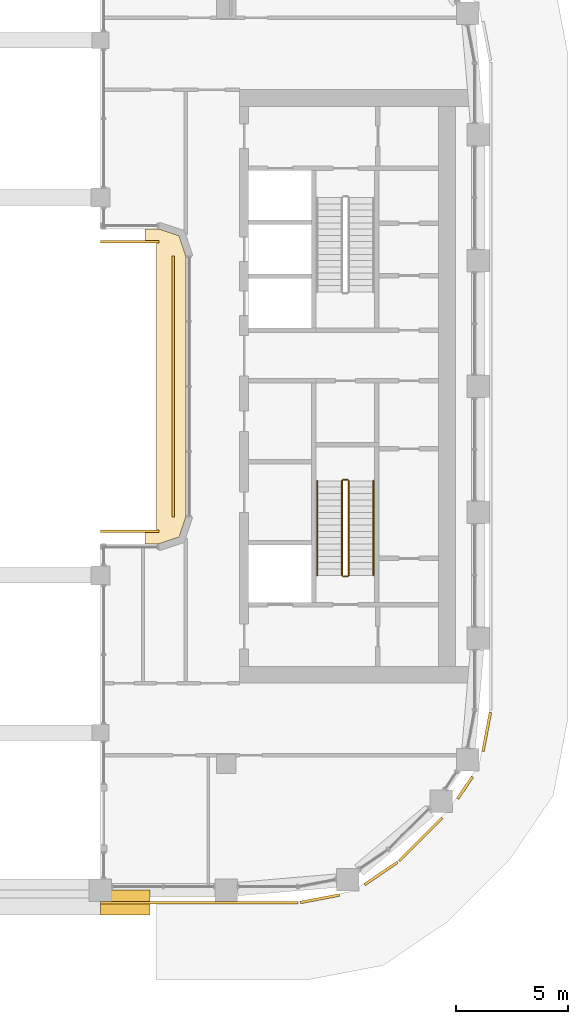
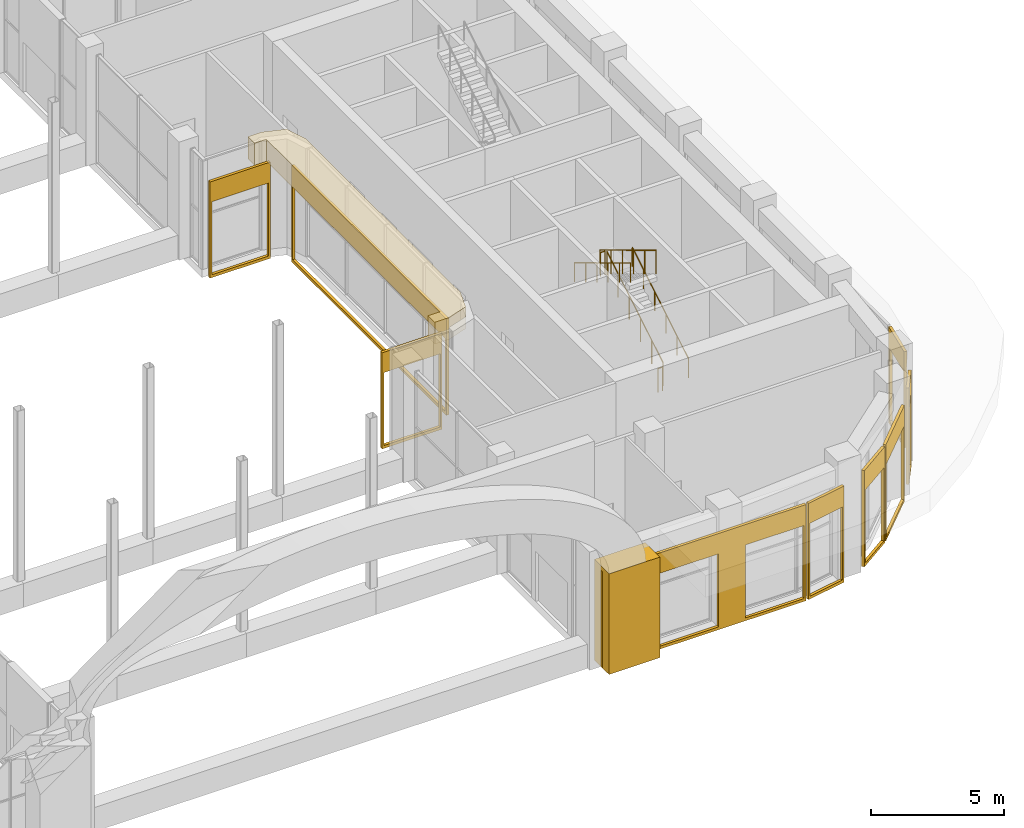
# One storey, part 25 of 28: 11 coverings, 6 railings.
"""IFC4 building model written with IfcOpenShell, lengths in metres."""

from ifc_helpers import new_model, si_unit, direction, frame, origin, origin_2d, place, context, subcontext, project, spatial, polyline, rectangle, circle, outline, extrude, material, layer, layer_set, type_object, element, save


model = new_model("IFC4")

# Units and contexts
model_context = context("Model", 3, precision=1e-05, world=origin(), true_north=direction((0.0, 1.0)))
body_context = subcontext(model_context, "Body", "Model", "MODEL_VIEW")
ifc_project = project(units=[si_unit("LENGTHUNIT", "METRE"), si_unit("AREAUNIT", "SQUARE_METRE"), si_unit("VOLUMEUNIT", "CUBIC_METRE"), si_unit("PLANEANGLEUNIT", "RADIAN"), si_unit("MASSUNIT", "GRAM", prefix="KILO")], contexts=[model_context])

# Site, building, storey
site_placement = place(None, origin())
site = spatial("IfcSite", under=ifc_project, at=site_placement, CompositionType="ELEMENT")
building_placement = place(site_placement, origin())
building = spatial("IfcBuilding", under=site, at=building_placement, Name="Kiln Ring Residences", CompositionType="ELEMENT")
storey_placement = place(building_placement, frame((0.0, 0.0, 178.10009765625)))
storey = spatial("IfcBuildingStorey", under=building, at=storey_placement, Name="L46", CompositionType="ELEMENT", Elevation=178.10009765625)

# Railings
ifc_material_1 = material(Name="Stainless steel", Category="steel")
railing_type_1 = type_object("IfcRailingType", Name="CORE-STAIR-GUARD", PredefinedType="GUARDRAIL", material=ifc_material_1)
railing_1_placement = place(storey_placement, frame((22.25, -8.39990234375, 0.168701171875)))
element("IfcRailing", 1, at=railing_1_placement, inside=storey, type_object=railing_type_1, Name="L46 E-STS stair guard 1", PredefinedType="GUARDRAIL", context=body_context, shape_type="SweptSolid", body=[
    extrude(circle(Radius=0.02392578125, at=origin_2d()), frame((0.0, 0.0, 1.076171875), z_axis=(0.0, 0.856476492594, 0.516186030065), x_axis=(-1.0, 0.0, 0.0)), (0.0, 0.0, 1.0), 4.90380859375),
    extrude(circle(Radius=0.02099609375, at=origin_2d()), origin(), (0.0, 0.0, 1.0), 1.052001953125),
    extrude(circle(Radius=0.02099609375, at=origin_2d()), frame((0.0, 0.840087890625, 0.50634765625)), (0.0, 0.0, 1.0), 1.052001953125),
    extrude(circle(Radius=0.02099609375, at=origin_2d()), frame((0.0, 1.679931640625, 1.012451171875)), (0.0, 0.0, 1.0), 1.052001953125),
    extrude(circle(Radius=0.02099609375, at=origin_2d()), frame((0.0, 2.52001953125, 1.518798828125)), (0.0, 0.0, 1.0), 1.052001953125),
    extrude(circle(Radius=0.02099609375, at=origin_2d()), frame((0.0, 3.35986328125, 2.02490234375)), (0.0, 0.0, 1.0), 1.052001953125),
    extrude(circle(Radius=0.02099609375, at=origin_2d()), frame((0.0, 4.199951171875, 2.53125)), (0.0, 0.0, 1.0), 1.052001953125),
])
railing_2_placement = place(storey_placement, frame((22.199951171875, -4.14990234375, 2.699951171875)))
element("IfcRailing", 2, at=railing_2_placement, inside=storey, type_object=railing_type_1, Name="L46 E-STS stair guard 2", PredefinedType="GUARDRAIL", context=body_context, shape_type="SweptSolid", body=[
    extrude(circle(Radius=0.02392578125, at=origin_2d()), frame((0.0, 0.0, 1.076171875), z_axis=(-1.0, 0.0, 0.0), x_axis=(0.0, -1.0, 0.0)), (0.0, 0.0, 1.0), 0.199951171875),
    extrude(circle(Radius=0.02099609375, at=origin_2d()), origin(), (0.0, 0.0, 1.0), 1.052001953125),
    extrude(circle(Radius=0.02099609375, at=origin_2d()), frame((-0.199951171875, 0.0, 0.0)), (0.0, 0.0, 1.0), 1.052001953125),
])
railing_3_placement = place(storey_placement, frame((21.949951171875, -4.199951171875, 2.86865234375)))
element("IfcRailing", 3, at=railing_3_placement, inside=storey, type_object=railing_type_1, Name="L46 E-STS stair guard 3", PredefinedType="GUARDRAIL", context=body_context, shape_type="SweptSolid", body=[
    extrude(circle(Radius=0.02392578125, at=origin_2d()), frame((0.0, 0.0, 1.076171875), z_axis=(0.0, -0.856476492594, 0.516186030065), x_axis=(1.0, 0.0, 0.0)), (0.0, 0.0, 1.0), 4.90380859375),
    extrude(circle(Radius=0.02099609375, at=origin_2d()), origin(), (0.0, 0.0, 1.0), 1.052001953125),
    extrude(circle(Radius=0.02099609375, at=origin_2d()), frame((0.0, -0.840087890625, 0.50634765625)), (0.0, 0.0, 1.0), 1.052001953125),
    extrude(circle(Radius=0.02099609375, at=origin_2d()), frame((0.0, -1.679931640625, 1.012451171875)), (0.0, 0.0, 1.0), 1.052001953125),
    extrude(circle(Radius=0.02099609375, at=origin_2d()), frame((0.0, -2.52001953125, 1.518798828125)), (0.0, 0.0, 1.0), 1.052001953125),
    extrude(circle(Radius=0.02099609375, at=origin_2d()), frame((0.0, -3.35986328125, 2.02490234375)), (0.0, 0.0, 1.0), 1.052001953125),
    extrude(circle(Radius=0.02099609375, at=origin_2d()), frame((0.0, -4.199951171875, 2.53125)), (0.0, 0.0, 1.0), 1.052001953125),
])
railing_4_placement = place(storey_placement, frame((22.199951171875, -8.449951171875, 0.0)))
element("IfcRailing", 4, at=railing_4_placement, inside=storey, type_object=railing_type_1, Name="L46 E-STS stair guard 4", PredefinedType="GUARDRAIL", context=body_context, shape_type="SweptSolid", body=[
    extrude(circle(Radius=0.02392578125, at=origin_2d()), frame((0.0, 0.0, 1.076171875), z_axis=(-1.0, 0.0, 0.0), x_axis=(0.0, -1.0, 0.0)), (0.0, 0.0, 1.0), 0.199951171875),
    extrude(circle(Radius=0.02099609375, at=origin_2d()), origin(), (0.0, 0.0, 1.0), 1.052001953125),
    extrude(circle(Radius=0.02099609375, at=origin_2d()), frame((-0.199951171875, 0.0, 0.0)), (0.0, 0.0, 1.0), 1.052001953125),
])
ifc_material_2 = material(Name="Stainless steel", Category="steel")
railing_type_2 = type_object("IfcRailingType", Name="CORE-STAIR-HANDRAIL", PredefinedType="HANDRAIL", material=ifc_material_2)
railing_5_placement = place(storey_placement, frame((23.35009765625, -8.39990234375, 0.168701171875)))
element("IfcRailing", 5, at=railing_5_placement, inside=storey, type_object=railing_type_2, Name="L46 E-STS stair handrail 1", PredefinedType="HANDRAIL", context=body_context, shape_type="SweptSolid", body=[
    extrude(circle(Radius=0.02392578125, at=origin_2d()), frame((0.0, 0.0, 0.8759765625), z_axis=(0.0, 0.856476492594, 0.516186030065), x_axis=(-1.0, 0.0, 0.0)), (0.0, 0.0, 1.0), 4.90380859375),
    extrude(circle(Radius=0.02099609375, at=origin_2d()), origin(), (0.0, 0.0, 1.0), 0.851806640625),
    extrude(circle(Radius=0.02099609375, at=origin_2d()), frame((0.0, 0.840087890625, 0.50634765625)), (0.0, 0.0, 1.0), 0.851806640625),
    extrude(circle(Radius=0.02099609375, at=origin_2d()), frame((0.0, 1.679931640625, 1.012451171875)), (0.0, 0.0, 1.0), 0.851806640625),
    extrude(circle(Radius=0.02099609375, at=origin_2d()), frame((0.0, 2.52001953125, 1.518798828125)), (0.0, 0.0, 1.0), 0.851806640625),
    extrude(circle(Radius=0.02099609375, at=origin_2d()), frame((0.0, 3.35986328125, 2.02490234375)), (0.0, 0.0, 1.0), 0.851806640625),
    extrude(circle(Radius=0.02099609375, at=origin_2d()), frame((0.0, 4.199951171875, 2.53125)), (0.0, 0.0, 1.0), 0.851806640625),
])
railing_6_placement = place(storey_placement, frame((20.85009765625, -4.199951171875, 2.86865234375)))
element("IfcRailing", 6, at=railing_6_placement, inside=storey, type_object=railing_type_2, Name="L46 E-STS stair handrail 2", PredefinedType="HANDRAIL", context=body_context, shape_type="SweptSolid", body=[
    extrude(circle(Radius=0.02392578125, at=origin_2d()), frame((0.0, 0.0, 0.8759765625), z_axis=(0.0, -0.856476492594, 0.516186030065), x_axis=(1.0, 0.0, 0.0)), (0.0, 0.0, 1.0), 4.90380859375),
    extrude(circle(Radius=0.02099609375, at=origin_2d()), origin(), (0.0, 0.0, 1.0), 0.851806640625),
    extrude(circle(Radius=0.02099609375, at=origin_2d()), frame((0.0, -0.840087890625, 0.50634765625)), (0.0, 0.0, 1.0), 0.851806640625),
    extrude(circle(Radius=0.02099609375, at=origin_2d()), frame((0.0, -1.679931640625, 1.012451171875)), (0.0, 0.0, 1.0), 0.851806640625),
    extrude(circle(Radius=0.02099609375, at=origin_2d()), frame((0.0, -2.52001953125, 1.518798828125)), (0.0, 0.0, 1.0), 0.851806640625),
    extrude(circle(Radius=0.02099609375, at=origin_2d()), frame((0.0, -3.35986328125, 2.02490234375)), (0.0, 0.0, 1.0), 0.851806640625),
    extrude(circle(Radius=0.02099609375, at=origin_2d()), frame((0.0, -4.199951171875, 2.53125)), (0.0, 0.0, 1.0), 0.851806640625),
])

# Coverings
ifc_material_3 = material(Name="Concrete C35/45, exposed aggregate finish", Category="concrete")
covering_type_1 = type_object("IfcCoveringType", Name="PORTAL JAMB 1400 x 700", PredefinedType="CLADDING", material=ifc_material_3)
covering_1_placement = place(storey_placement, frame((12.300048828125, -22.949951171875, -0.000244140625), z_axis=(0.0, 0.0, 1.0), x_axis=(1.0, 0.0, 0.0)))
element("IfcCovering", 7, at=covering_1_placement, inside=storey, type_object=covering_type_1, Name="PORTAL JAMB L46", PredefinedType="CLADDING", context=body_context, shape_type="SweptSolid", body=[
    extrude(rectangle(XDim=2.199951171875, YDim=1.10009765625, at=origin_2d()), origin(), (0.0, 0.0, 1.0), 4.60009765625),
])
ifc_material_4 = material(Name="Brick masonry, dark clay brick", Category="masonry")
ifc_layer_1 = layer(ifc_material_4, 0.1201171875)
ifc_layer_set_1 = layer_set([ifc_layer_1], Name="RAINSCREEN PANEL 120")
covering_type_2 = type_object("IfcCoveringType", Name="RAINSCREEN PANEL 120", PredefinedType="CLADDING", material=ifc_layer_set_1)
covering_2_placement = place(storey_placement, frame((13.800048828125, -6.43994140625, 0.0), z_axis=(0.0, 0.0, 1.0), x_axis=(-1.0, 0.0, 0.0)))
element("IfcCovering", 8, at=covering_2_placement, inside=storey, type_object=covering_type_2, Name="RAINSCREEN L46", PredefinedType="CLADDING", context=body_context, shape_type="SweptSolid", body=[
    extrude(outline(polyline([(0.0, 0.0), (2.60009765625, 0.0), (2.60009765625, 4.39990234375), (0.0, 4.39990234375), (0.0, 0.0)]), holes=[polyline([(0.080078125, 3.469970703125), (0.080078125, 0.1298828125), (2.52001953125, 0.1298828125), (2.52001953125, 3.469970703125), (0.080078125, 3.469970703125)])]), frame((0.0, 0.06005859375, 0.0), z_axis=(0.0, -1.0, 0.0), x_axis=(1.0, 0.0, 0.0)), (0.0, 0.0, 1.0), 0.1201171875),
])
covering_3_placement = place(storey_placement, frame((11.199951171875, -22.9599609375, 0.0), z_axis=(0.0, 0.0, 1.0), x_axis=(1.0, 0.0, 0.0)))
element("IfcCovering", 9, at=covering_3_placement, inside=storey, type_object=covering_type_2, Name="RAINSCREEN L46", PredefinedType="CLADDING", context=body_context, shape_type="SweptSolid", body=[
    extrude(outline(polyline([(0.0, 0.0), (8.800048828125, 0.0), (8.800048828125, 4.39990234375), (0.0, 4.39990234375), (0.0, 0.0)]), holes=[polyline([(5.02001953125, 3.469970703125), (0.580078125, 3.469970703125), (0.580078125, 0.1298828125), (5.02001953125, 0.1298828125), (5.02001953125, 3.469970703125)]), polyline([(8.719970703125, 3.469970703125), (6.179931640625, 3.469970703125), (6.179931640625, 0.1298828125), (8.719970703125, 0.1298828125), (8.719970703125, 3.469970703125)])]), frame((0.0, 0.06005859375, 0.0), z_axis=(0.0, -1.0, 0.0), x_axis=(1.0, 0.0, 0.0)), (0.0, 0.0, 1.0), 0.1201171875),
])
for number, where, z_axis, x_axis, name in (
    (10, (20.10498046875, -22.9501953125, 0.0), (0.0, 0.0, 1.0), (0.98228010573, 0.187418766104, 0.0), "RAINSCREEN L46"),
    (11, (22.95947265625, -22.153076171875, 0.0), (0.0, 0.0, 1.0), (0.82707645233, 0.562089443061, 0.0), "RAINSCREEN L46"),
):
    element("IfcCovering", number, at=place(storey_placement, frame(where, z_axis=z_axis, x_axis=x_axis)), inside=storey, type_object=covering_type_2, Name=name, PredefinedType="CLADDING", context=body_context, shape_type="SweptSolid", body=[
        extrude(outline(polyline([(0.0, 0.0), (1.756103515625, 0.0), (1.756103515625, 4.39990234375), (0.0, 4.39990234375), (0.0, 0.0)]), holes=[polyline([(0.080078125, 3.469970703125), (0.080078125, 0.1298828125), (1.676025390625, 0.1298828125), (1.676025390625, 3.469970703125), (0.080078125, 3.469970703125)])]), frame((0.0, 0.06005859375, 0.0), z_axis=(0.0, -1.0, 0.0), x_axis=(1.0, 0.0, 0.0)), (0.0, 0.0, 1.0), 0.1201171875),
    ])
covering_4_placement = place(storey_placement, frame((24.492919921875, -21.098876953125, 0.0), z_axis=(0.0, 0.0, 1.0), x_axis=(0.707151988282, 0.707061571201, 0.0)))
element("IfcCovering", 12, at=covering_4_placement, inside=storey, type_object=covering_type_2, Name="RAINSCREEN L46", PredefinedType="CLADDING", context=body_context, shape_type="SweptSolid", body=[
    extrude(outline(polyline([(0.0, 0.0), (2.699951171875, 0.0), (2.699951171875, 4.39990234375), (0.0, 4.39990234375), (0.0, 0.0)]), holes=[polyline([(0.080078125, 3.469970703125), (0.080078125, 0.1298828125), (2.6201171875, 0.1298828125), (2.6201171875, 3.469970703125), (0.080078125, 3.469970703125)])]), frame((0.0, 0.06005859375, 0.0), z_axis=(0.0, -1.0, 0.0), x_axis=(1.0, 0.0, 0.0)), (0.0, 0.0, 1.0), 0.1201171875),
])
covering_5_placement = place(storey_placement, frame((27.091552734375, -18.3330078125, 0.0), z_axis=(0.0, 0.0, 1.0), x_axis=(0.56204904385, 0.827103906596, 0.0)))
element("IfcCovering", 13, at=covering_5_placement, inside=storey, type_object=covering_type_2, Name="RAINSCREEN L46", PredefinedType="CLADDING", context=body_context, shape_type="SweptSolid", body=[
    extrude(outline(polyline([(0.0, 0.0), (1.177001953125, 0.0), (1.177001953125, 4.39990234375), (0.0, 4.39990234375), (0.0, 0.0)]), holes=[polyline([(0.080078125, 3.469970703125), (0.080078125, 0.1298828125), (1.09716796875, 0.1298828125), (1.09716796875, 3.469970703125), (0.080078125, 3.469970703125)])]), frame((0.0, 0.06005859375, 0.0), z_axis=(0.0, -1.0, 0.0), x_axis=(1.0, 0.0, 0.0)), (0.0, 0.0, 1.0), 0.1201171875),
])
covering_6_placement = place(storey_placement, frame((28.220947265625, -16.22998046875, 0.0), z_axis=(0.0, 0.0, 1.0), x_axis=(0.187393173565, 0.982284988433, 0.0)))
element("IfcCovering", 14, at=covering_6_placement, inside=storey, type_object=covering_type_2, Name="RAINSCREEN L46", PredefinedType="CLADDING", context=body_context, shape_type="SweptSolid", body=[
    extrude(outline(polyline([(0.0, 0.0), (1.756103515625, 0.0), (1.756103515625, 4.39990234375), (0.0, 4.39990234375), (0.0, 0.0)]), holes=[polyline([(0.080078125, 3.469970703125), (0.080078125, 0.1298828125), (1.676025390625, 0.1298828125), (1.676025390625, 3.469970703125), (0.080078125, 3.469970703125)])]), frame((0.0, 0.06005859375, 0.0), z_axis=(0.0, -1.0, 0.0), x_axis=(1.0, 0.0, 0.0)), (0.0, 0.0, 1.0), 0.1201171875),
])
covering_7_placement = place(storey_placement, frame((11.199951171875, 6.43994140625, 0.0), z_axis=(0.0, 0.0, 1.0), x_axis=(1.0, 0.0, 0.0)))
element("IfcCovering", 15, at=covering_7_placement, inside=storey, type_object=covering_type_2, Name="RAINSCREEN L46", PredefinedType="CLADDING", context=body_context, shape_type="SweptSolid", body=[
    extrude(outline(polyline([(0.0, 0.0), (2.60009765625, 0.0), (2.60009765625, 4.39990234375), (0.0, 4.39990234375), (0.0, 0.0)]), holes=[polyline([(0.080078125, 3.469970703125), (0.080078125, 0.1298828125), (2.52001953125, 0.1298828125), (2.52001953125, 3.469970703125), (0.080078125, 3.469970703125)])]), frame((0.0, 0.06005859375, 0.0), z_axis=(0.0, -1.0, 0.0), x_axis=(1.0, 0.0, 0.0)), (0.0, 0.0, 1.0), 0.1201171875),
])
covering_8_placement = place(storey_placement, frame((14.43994140625, 5.800048828125, 0.0), z_axis=(0.0, 0.0, 1.0), x_axis=(0.0, -1.0, 0.0)))
element("IfcCovering", 16, at=covering_8_placement, inside=storey, type_object=covering_type_2, Name="RAINSCREEN L46", PredefinedType="CLADDING", context=body_context, shape_type="SweptSolid", body=[
    extrude(outline(polyline([(0.0, 0.0), (11.60009765625, 0.0), (11.60009765625, 4.39990234375), (0.0, 4.39990234375), (0.0, 0.0)]), holes=[polyline([(0.080078125, 3.469970703125), (0.080078125, 0.1298828125), (11.52001953125, 0.1298828125), (11.52001953125, 3.469970703125), (0.080078125, 3.469970703125)])]), frame((0.0, 0.06005859375, 0.0), z_axis=(0.0, -1.0, 0.0), x_axis=(1.0, 0.0, 0.0)), (0.0, 0.0, 1.0), 0.1201171875),
])
ifc_material_5 = material(Name="Black powder-coated steel", Category="steel")
ifc_layer_2 = layer(ifc_material_5, 1.0)
ifc_layer_set_2 = layer_set([ifc_layer_2], Name="SUNSHADE FIN 3500")
covering_type_3 = type_object("IfcCoveringType", Name="SUNSHADE FIN 3500", PredefinedType="CLADDING", material=ifc_layer_set_2)
covering_9_placement = place(storey_placement, frame((0.0, 0.0, 4.39990234375)))
element("IfcCovering", 17, at=covering_9_placement, inside=storey, type_object=covering_type_3, Name="SUNSHADE FIN L46", PredefinedType="CLADDING", context=body_context, shape_type="SweptSolid", body=[
    extrude(outline(polyline([(13.18994140625, 6.5), (13.699951171875, 6.5), (13.699951171875, -6.5), (13.18994140625, -6.5), (13.18994140625, -7.0), (13.800048828125, -7.0), (14.699951171875, -6.699951171875), (15.0, -5.800048828125), (15.0, 5.800048828125), (14.699951171875, 6.699951171875), (13.800048828125, 7.0), (13.18994140625, 7.0), (13.18994140625, 6.5)])), origin(), (0.0, 0.0, 1.0), 1.0),
])

save(model, "model.ifc")
